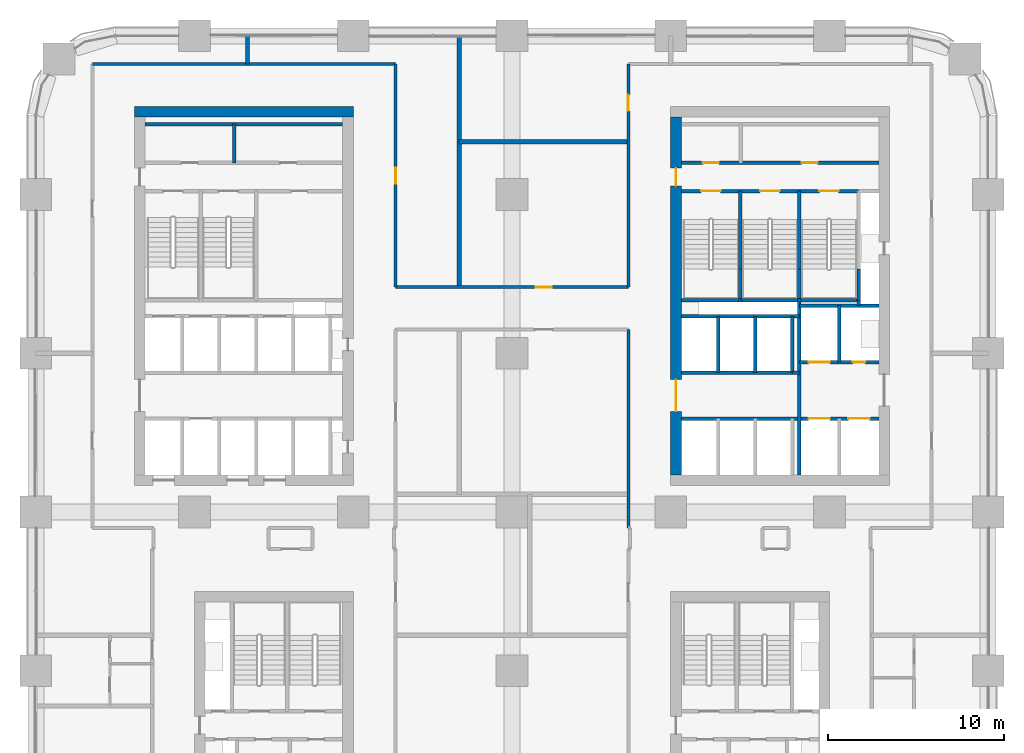
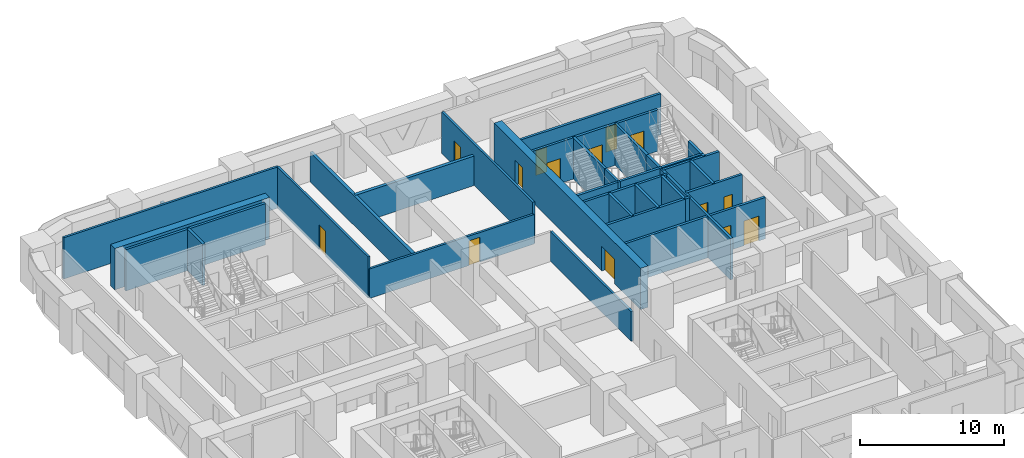
# One storey, part 19 of 24: 36 walls, 14 doors, 14 openings.
"""IFC4 building model written with IfcOpenShell, lengths in metres."""

from ifc_helpers import new_model, si_unit, direction, frame, frame_2d, origin, place, context, subcontext, project, spatial, rectangle, extrude, material, layer, layer_set, type_object, element, fill, save


model = new_model("IFC4")

# Units and contexts
model_context = context("Model", 3, precision=1e-05, world=origin(), true_north=direction((0.0, 1.0)))
body_context = subcontext(model_context, "Body", "Model", "MODEL_VIEW")
ifc_project = project(units=[si_unit("LENGTHUNIT", "METRE"), si_unit("AREAUNIT", "SQUARE_METRE"), si_unit("VOLUMEUNIT", "CUBIC_METRE"), si_unit("PLANEANGLEUNIT", "RADIAN"), si_unit("MASSUNIT", "GRAM", prefix="KILO")], contexts=[model_context])

# Site, building, storey
site_placement = place(None, origin())
site = spatial("IfcSite", under=ifc_project, at=site_placement, CompositionType="ELEMENT")
building_placement = place(site_placement, origin())
building = spatial("IfcBuilding", under=site, at=building_placement, Name="Tessera Arch", CompositionType="ELEMENT")
storey_placement = place(building_placement, frame((0.0, 0.0, 38.60009765625)))
storey = spatial("IfcBuildingStorey", under=building, at=storey_placement, Name="L07", CompositionType="ELEMENT", Elevation=38.60009765625)

# Wall
ifc_material_1 = material(Name="Gypsum board on steel stud", Category="steel")
ifc_layer_1 = layer(ifc_material_1, 0.125)
ifc_layer_set_1 = layer_set([ifc_layer_1], Name="Core partition 125 EI 60")
wall_type_1 = type_object("IfcWallType", Name="Core partition 125 EI 60", PredefinedType="PARTITIONING", material=ifc_layer_set_1)
wall_1_placement = place(storey_placement, frame((42.89990234375, 34.89990234375, 0.0), z_axis=(0.0, 0.0, 1.0), x_axis=(1.0, 0.0, 0.0)))
element("IfcWall", 1, at=wall_1_placement, inside=storey, type_object=wall_type_1, Name="L07 C1 partition wall 19", PredefinedType="PARTITIONING", context=body_context, shape_type="SweptSolid", body=[
    extrude(rectangle(XDim=0.400146484375, YDim=0.199951171875, at=frame_2d((0.2001953125, 0.0))), origin(), (0.0, 0.0, 1.0), 3.5),
])

# Wall, openings, doors
wall_2_placement = place(storey_placement, frame((36.60009765625, 46.800048828125, 0.0), z_axis=(0.0, 0.0, 1.0), x_axis=(1.0, 0.0, 0.0)))
wall_2 = element("IfcWall", 2, at=wall_2_placement, inside=storey, type_object=wall_type_1, Name="L07 C1 partition wall 31", PredefinedType="PARTITIONING", context=body_context, shape_type="SweptSolid", body=[
    extrude(rectangle(XDim=11.199951171875, YDim=0.199951171875, at=frame_2d((5.60009765625, 0.0))), origin(), (0.0, 0.0, 1.0), 3.5),
])
opening_1_placement = place(wall_2_placement, frame((1.22998046875, 0.0, 0.0)))
opening_1 = element("IfcOpeningElement", 3, at=opening_1_placement, cuts=wall_2, Name="Opening L07-C12", PredefinedType="OPENING", context=body_context, shape_type="SweptSolid", body=[
    extrude(rectangle(XDim=0.89990234375, YDim=2.10009765625, at=frame_2d((0.449951171875, 1.050048828125))), frame((0.0, 0.10986328125, 0.0), z_axis=(0.0, -1.0, 0.0), x_axis=(1.0, 0.0, 0.0)), (0.0, 0.0, 1.0), 0.219970703125),
])
opening_2_placement = place(wall_2_placement, frame((6.830078125, 0.0, 0.0)))
opening_2 = element("IfcOpeningElement", 4, at=opening_2_placement, cuts=wall_2, Name="Opening L07-C13", PredefinedType="OPENING", context=body_context, shape_type="SweptSolid", body=[
    extrude(rectangle(XDim=0.89990234375, YDim=2.10009765625, at=frame_2d((0.449951171875, 1.050048828125))), frame((0.0, 0.10986328125, 0.0), z_axis=(0.0, -1.0, 0.0), x_axis=(1.0, 0.0, 0.0)), (0.0, 0.0, 1.0), 0.219970703125),
])
ifc_material_2 = material(Name="Steel door leaf", Category="steel")
door_type_1 = type_object("IfcDoorType", Name="Store door FD30S 900 x 2100", OperationType="SINGLE_SWING_LEFT", PredefinedType="DOOR", material=ifc_material_2)
door_1_placement = place(opening_1_placement, origin())
door_1 = element("IfcDoor", 5, at=door_1_placement, inside=storey, type_object=door_type_1, Name="L07 C1 door 12 C12 type D09", OperationType="SINGLE_SWING_LEFT", OverallHeight=2.10009765625, OverallWidth=0.89990234375, PredefinedType="DOOR", context=body_context, shape_type="SweptSolid", body=[
    extrude(rectangle(XDim=0.89990234375, YDim=2.10009765625, at=frame_2d((0.449951171875, 1.050048828125))), frame((0.0, 0.02490234375, 0.0), z_axis=(0.0, -1.0, 0.0), x_axis=(1.0, 0.0, 0.0)), (0.0, 0.0, 1.0), 0.050048828125),
])
fill(opening_1, door_1)
door_2_placement = place(opening_2_placement, origin())
door_2 = element("IfcDoor", 6, at=door_2_placement, inside=storey, type_object=door_type_1, Name="L07 C1 door 13 C13 type D09", OperationType="SINGLE_SWING_RIGHT", OverallHeight=2.10009765625, OverallWidth=0.89990234375, PredefinedType="DOOR", context=body_context, shape_type="SweptSolid", body=[
    extrude(rectangle(XDim=0.89990234375, YDim=2.10009765625, at=frame_2d((0.449951171875, 1.050048828125))), frame((0.0, 0.02490234375, 0.0), z_axis=(0.0, -1.0, 0.0), x_axis=(1.0, 0.0, 0.0)), (0.0, 0.0, 1.0), 0.050048828125),
])
fill(opening_2, door_2)

# Walls
wall_3_placement = place(storey_placement, frame((11.239990234375, 46.800048828125, 0.0), z_axis=(0.0, 0.0, 1.0), x_axis=(0.0, 1.0, 0.0)))
element("IfcWall", 7, at=wall_3_placement, inside=storey, type_object=wall_type_1, Name="L07 C2 partition wall 7", PredefinedType="PARTITIONING", context=body_context, shape_type="SweptSolid", body=[
    extrude(rectangle(XDim=2.199951171875, YDim=0.199951171875, at=frame_2d((1.10009765625, 0.0))), origin(), (0.0, 0.0, 1.0), 3.5),
])
wall_4_placement = place(storey_placement, frame((6.199951171875, 49.0, 0.0), z_axis=(0.0, 0.0, 1.0), x_axis=(1.0, 0.0, 0.0)))
element("IfcWall", 8, at=wall_4_placement, inside=storey, type_object=wall_type_1, Name="L07 C2 partition wall 26", PredefinedType="PARTITIONING", context=body_context, shape_type="SweptSolid", body=[
    extrude(rectangle(XDim=11.199951171875, YDim=0.199951171875, at=frame_2d((5.60009765625, 0.0))), origin(), (0.0, 0.0, 1.0), 3.5),
])

# Wall, openings, doors
ifc_material_3 = material(Name="Concrete C70/85", Category="concrete")
ifc_layer_2 = layer(ifc_material_3, 0.60009765625)
ifc_layer_set_2 = layer_set([ifc_layer_2], Name="Core shell wall 600 C70-85")
wall_type_2 = type_object("IfcWallType", Name="Core shell wall 600 C70-85", PredefinedType="SHEAR", material=ifc_layer_set_2)
wall_5_placement = place(storey_placement, frame((36.300048828125, 29.10009765625, 0.0), z_axis=(0.0, 0.0, 1.0), x_axis=(0.0, 1.0, 0.0)))
wall_5 = element("IfcWall", 9, at=wall_5_placement, inside=storey, type_object=wall_type_2, Name="L07 C1 core wall W", PredefinedType="SHEAR", context=body_context, shape_type="SweptSolid", body=[
    extrude(rectangle(XDim=20.2998046875, YDim=0.60009765625, at=frame_2d((10.14990234375, 0.0))), origin(), (0.0, 0.0, 1.0), 3.5),
])
opening_3_placement = place(wall_5_placement, frame((3.60009765625, 0.0, 0.0)))
opening_3 = element("IfcOpeningElement", 10, at=opening_3_placement, cuts=wall_5, Name="Opening L07-C04", PredefinedType="OPENING", context=body_context, shape_type="SweptSolid", body=[
    extrude(rectangle(XDim=1.800048828125, YDim=2.10009765625, at=frame_2d((0.89990234375, 1.050048828125))), frame((0.0, 0.31005859375, 0.0), z_axis=(0.0, -1.0, 0.0), x_axis=(1.0, 0.0, 0.0)), (0.0, 0.0, 1.0), 0.6201171875),
])
opening_4_placement = place(wall_5_placement, frame((16.39990234375, 0.0, 0.0)))
opening_4 = element("IfcOpeningElement", 11, at=opening_4_placement, cuts=wall_5, Name="Opening L07-C11", PredefinedType="OPENING", context=body_context, shape_type="SweptSolid", body=[
    extrude(rectangle(XDim=1.0, YDim=2.10009765625, at=frame_2d((0.5, 1.050048828125))), frame((0.0, 0.31005859375, 0.0), z_axis=(0.0, -1.0, 0.0), x_axis=(1.0, 0.0, 0.0)), (0.0, 0.0, 1.0), 0.6201171875),
])
ifc_material_4 = material(Name="Steel door leaf", Category="steel")
door_type_2 = type_object("IfcDoorType", Name="Corridor door FD60 1000 x 2100", OperationType="SINGLE_SWING_LEFT", PredefinedType="DOOR", material=ifc_material_4)
door_3_placement = place(opening_4_placement, origin())
door_3 = element("IfcDoor", 12, at=door_3_placement, inside=storey, type_object=door_type_2, Name="L07 C1 door 11 C11 type D12", OperationType="SINGLE_SWING_RIGHT", OverallHeight=2.10009765625, OverallWidth=1.0, PredefinedType="DOOR", context=body_context, shape_type="SweptSolid", body=[
    extrude(rectangle(XDim=1.0, YDim=2.10009765625, at=frame_2d((0.5, 1.050048828125))), frame((0.0, 0.02490234375, 0.0), z_axis=(0.0, -1.0, 0.0), x_axis=(1.0, 0.0, 0.0)), (0.0, 0.0, 1.0), 0.050048828125),
])
fill(opening_4, door_3)
ifc_material_5 = material(Name="Glazed steel door leaf", Category="steel")
door_type_3 = type_object("IfcDoorType", Name="Lobby double door FD30S 1800 x 2100", OperationType="DOUBLE_DOOR_SINGLE_SWING", PredefinedType="DOOR", material=ifc_material_5)
door_4_placement = place(opening_3_placement, origin())
door_4 = element("IfcDoor", 13, at=door_4_placement, inside=storey, type_object=door_type_3, Name="L07 C1 door 4 C04 type D06", OperationType="DOUBLE_DOOR_SINGLE_SWING", OverallHeight=2.10009765625, OverallWidth=1.800048828125, PredefinedType="DOOR", context=body_context, shape_type="SweptSolid", body=[
    extrude(rectangle(XDim=1.800048828125, YDim=2.10009765625, at=frame_2d((0.89990234375, 1.050048828125))), frame((0.0, 0.02490234375, 0.0), z_axis=(0.0, -1.0, 0.0), x_axis=(1.0, 0.0, 0.0)), (0.0, 0.0, 1.0), 0.050048828125),
])
fill(opening_3, door_4)

# Wall
wall_6_placement = place(storey_placement, frame((5.60009765625, 49.699951171875, 0.0), z_axis=(0.0, 0.0, 1.0), x_axis=(1.0, 0.0, 0.0)))
element("IfcWall", 14, at=wall_6_placement, inside=storey, type_object=wall_type_2, Name="L07 C2 core wall N", PredefinedType="SHEAR", context=body_context, shape_type="SweptSolid", body=[
    extrude(rectangle(XDim=12.39990234375, YDim=0.60009765625, at=frame_2d((6.199951171875, 0.0))), origin(), (0.0, 0.0, 1.0), 3.5),
])

# Wall, opening, door
ifc_material_6 = material(Name="Gypsum board on deep steel stud with mineral wool", Category="steel")
ifc_layer_3 = layer(ifc_material_6, 0.175048828125)
ifc_layer_set_3 = layer_set([ifc_layer_3], Name="Corridor wall 175 EI 60")
wall_type_3 = type_object("IfcWallType", Name="Corridor wall 175 EI 60", PredefinedType="PARTITIONING", material=ifc_layer_set_3)
wall_7_placement = place(storey_placement, frame((20.39990234375, 39.75, 0.0), z_axis=(0.0, 0.0, 1.0), x_axis=(1.0, 0.0, 0.0)))
wall_7 = element("IfcWall", 15, at=wall_7_placement, inside=storey, type_object=wall_type_3, Name="L07 partition 18", PredefinedType="PARTITIONING", context=body_context, shape_type="SweptSolid", body=[
    extrude(rectangle(XDim=13.2001953125, YDim=0.175048828125, at=frame_2d((6.60009765625, 0.0))), origin(), (0.0, 0.0, 1.0), 2.5),
])
opening_5_placement = place(wall_7_placement, frame((7.949951171875, 0.0, 0.0)))
opening_5 = element("IfcOpeningElement", 16, at=opening_5_placement, cuts=wall_7, Name="Opening L07-D037", PredefinedType="OPENING", context=body_context, shape_type="SweptSolid", body=[
    extrude(rectangle(XDim=0.89990234375, YDim=2.10009765625, at=frame_2d((0.449951171875, 1.050048828125))), frame((0.0, 0.097412109375, 0.0), z_axis=(0.0, -1.0, 0.0), x_axis=(1.0, 0.0, 0.0)), (0.0, 0.0, 1.0), 0.195068359375),
])
ifc_material_7 = material(Name="Timber door leaf", Category="wood")
door_type_4 = type_object("IfcDoorType", Name="Room door 900 x 2100", OperationType="SINGLE_SWING_LEFT", PredefinedType="DOOR", material=ifc_material_7)
door_5_placement = place(opening_5_placement, origin())
door_5 = element("IfcDoor", 17, at=door_5_placement, inside=storey, type_object=door_type_4, Name="L07 door D037 type D01", OperationType="SINGLE_SWING_LEFT", OverallHeight=2.10009765625, OverallWidth=0.89990234375, PredefinedType="DOOR", context=body_context, shape_type="SweptSolid", body=[
    extrude(rectangle(XDim=0.89990234375, YDim=2.10009765625, at=frame_2d((0.449951171875, 1.050048828125))), frame((0.0, 0.02490234375, 0.0), z_axis=(0.0, -1.0, 0.0), x_axis=(1.0, 0.0, 0.0)), (0.0, 0.0, 1.0), 0.050048828125),
])
fill(opening_5, door_5)

# Wall
wall_8_placement = place(storey_placement, frame((3.199951171875, 52.39990234375, 0.0), z_axis=(0.0, 0.0, 1.0), x_axis=(1.0, 0.0, 0.0)))
element("IfcWall", 18, at=wall_8_placement, inside=storey, type_object=wall_type_3, Name="L07 partition 19", PredefinedType="PARTITIONING", context=body_context, shape_type="SweptSolid", body=[
    extrude(rectangle(XDim=17.199951171875, YDim=0.175048828125, at=frame_2d((8.60009765625, 0.0))), origin(), (0.0, 0.0, 1.0), 3.5),
])

# Wall, opening, door
wall_9_placement = place(storey_placement, frame((20.39990234375, 39.75, 0.0), z_axis=(0.0, 0.0, 1.0), x_axis=(0.0, 1.0, 0.0)))
wall_9 = element("IfcWall", 19, at=wall_9_placement, inside=storey, type_object=wall_type_3, Name="L07 partition 30", PredefinedType="PARTITIONING", context=body_context, shape_type="SweptSolid", body=[
    extrude(rectangle(XDim=12.64990234375, YDim=0.175048828125, at=frame_2d((6.324951171875, 0.0))), origin(), (0.0, 0.0, 1.0), 3.5),
])
opening_6_placement = place(wall_9_placement, frame((5.875, 0.0, 0.0)))
opening_6 = element("IfcOpeningElement", 20, at=opening_6_placement, cuts=wall_9, Name="Opening L07-D040", PredefinedType="OPENING", context=body_context, shape_type="SweptSolid", body=[
    extrude(rectangle(XDim=0.89990234375, YDim=2.10009765625, at=frame_2d((0.449951171875, 1.050048828125))), frame((0.0, 0.097412109375, 0.0), z_axis=(0.0, -1.0, 0.0), x_axis=(1.0, 0.0, 0.0)), (0.0, 0.0, 1.0), 0.195068359375),
])
door_6_placement = place(opening_6_placement, origin())
door_6 = element("IfcDoor", 21, at=door_6_placement, inside=storey, type_object=door_type_4, Name="L07 door D040 type D01", OperationType="SINGLE_SWING_LEFT", OverallHeight=2.10009765625, OverallWidth=0.89990234375, PredefinedType="DOOR", context=body_context, shape_type="SweptSolid", body=[
    extrude(rectangle(XDim=0.89990234375, YDim=2.10009765625, at=frame_2d((0.449951171875, 1.050048828125))), frame((0.0, 0.02490234375, 0.0), z_axis=(0.0, -1.0, 0.0), x_axis=(1.0, 0.0, 0.0)), (0.0, 0.0, 1.0), 0.050048828125),
])
fill(opening_6, door_6)

# Wall
wall_10_placement = place(storey_placement, frame((33.60009765625, 26.10009765625, 0.0), z_axis=(0.0, 0.0, 1.0), x_axis=(0.0, 1.0, 0.0)))
element("IfcWall", 22, at=wall_10_placement, inside=storey, type_object=wall_type_3, Name="L07 partition 33", PredefinedType="PARTITIONING", context=body_context, shape_type="SweptSolid", body=[
    extrude(rectangle(XDim=11.25, YDim=0.175048828125, at=frame_2d((5.625, 0.0))), origin(), (0.0, 0.0, 1.0), 2.5),
])

# Wall, opening, door
wall_11_placement = place(storey_placement, frame((33.60009765625, 39.75, 0.0), z_axis=(0.0, 0.0, 1.0), x_axis=(0.0, 1.0, 0.0)))
wall_11 = element("IfcWall", 23, at=wall_11_placement, inside=storey, type_object=wall_type_3, Name="L07 partition 34", PredefinedType="PARTITIONING", context=body_context, shape_type="SweptSolid", body=[
    extrude(rectangle(XDim=12.64990234375, YDim=0.175048828125, at=frame_2d((6.324951171875, 0.0))), origin(), (0.0, 0.0, 1.0), 3.5),
])
opening_7_placement = place(wall_11_placement, frame((10.0, 0.0, 0.0)))
opening_7 = element("IfcOpeningElement", 24, at=opening_7_placement, cuts=wall_11, Name="Opening L07-D041", PredefinedType="OPENING", context=body_context, shape_type="SweptSolid", body=[
    extrude(rectangle(XDim=0.89990234375, YDim=2.10009765625, at=frame_2d((0.449951171875, 1.050048828125))), frame((0.0, 0.097412109375, 0.0), z_axis=(0.0, -1.0, 0.0), x_axis=(1.0, 0.0, 0.0)), (0.0, 0.0, 1.0), 0.195068359375),
])
door_7_placement = place(opening_7_placement, origin())
door_7 = element("IfcDoor", 25, at=door_7_placement, inside=storey, type_object=door_type_4, Name="L07 door D041 type D01", OperationType="SINGLE_SWING_LEFT", OverallHeight=2.10009765625, OverallWidth=0.89990234375, PredefinedType="DOOR", context=body_context, shape_type="SweptSolid", body=[
    extrude(rectangle(XDim=0.89990234375, YDim=2.10009765625, at=frame_2d((0.449951171875, 1.050048828125))), frame((0.0, 0.02490234375, 0.0), z_axis=(0.0, -1.0, 0.0), x_axis=(1.0, 0.0, 0.0)), (0.0, 0.0, 1.0), 0.050048828125),
])
fill(opening_7, door_7)

# Walls
ifc_material_8 = material(Name="Double gypsum board on twin steel stud with acoustic mineral wool", Category="steel")
ifc_layer_4 = layer(ifc_material_8, 0.25)
ifc_layer_set_4 = layer_set([ifc_layer_4], Name="Party wall 250 EI 60")
wall_type_4 = type_object("IfcWallType", Name="Party wall 250 EI 60", PredefinedType="PARTITIONING", material=ifc_layer_set_4)
wall_12_placement = place(storey_placement, frame((24.0, 48.0, 0.0), z_axis=(0.0, 0.0, 1.0), x_axis=(1.0, 0.0, 0.0)))
element("IfcWall", 26, at=wall_12_placement, inside=storey, type_object=wall_type_4, Name="L07 partition 59", PredefinedType="PARTITIONING", context=body_context, shape_type="SweptSolid", body=[
    extrude(rectangle(XDim=9.60009765625, YDim=0.25, at=frame_2d((4.800048828125, 0.0))), origin(), (0.0, 0.0, 1.0), 2.5),
])
wall_13_placement = place(storey_placement, frame((12.0, 52.39990234375, 0.0), z_axis=(0.0, 0.0, 1.0), x_axis=(0.0, 1.0, 0.0)))
element("IfcWall", 27, at=wall_13_placement, inside=storey, type_object=wall_type_4, Name="L07 partition 62", PredefinedType="PARTITIONING", context=body_context, shape_type="SweptSolid", body=[
    extrude(rectangle(XDim=1.60009765625, YDim=0.25, at=frame_2d((0.800048828125, 0.0))), origin(), (0.0, 0.0, 1.0), 2.5),
])
wall_14_placement = place(storey_placement, frame((24.0, 39.75, 0.0), z_axis=(0.0, 0.0, 1.0), x_axis=(0.0, 1.0, 0.0)))
element("IfcWall", 28, at=wall_14_placement, inside=storey, type_object=wall_type_4, Name="L07 partition 66", PredefinedType="PARTITIONING", context=body_context, shape_type="SweptSolid", body=[
    extrude(rectangle(XDim=14.25, YDim=0.25, at=frame_2d((7.125, 0.0))), origin(), (0.0, 0.0, 1.0), 2.5),
])
ifc_material_9 = material(Name="Concrete C40/50", Category="concrete")
ifc_layer_5 = layer(ifc_material_9, 0.199951171875)
ifc_layer_set_5 = layer_set([ifc_layer_5], Name="Shaft wall 200 EI 120")
wall_type_5 = type_object("IfcWallType", Name="Shaft wall 200 EI 120", PredefinedType="SOLIDWALL", material=ifc_layer_set_5)
for number, where, z_axis, x_axis, name in (
    (29, (38.699951171875, 34.89990234375, 0.0), (0.0, 0.0, 1.0), (0.0, 1.0, 0.0), "L07 C1 shaft wall 2"),
    (30, (40.800048828125, 34.89990234375, 0.0), (0.0, 0.0, 1.0), (0.0, 1.0, 0.0), "L07 C1 shaft wall 7"),
    (31, (42.89990234375, 34.89990234375, 0.0), (0.0, 0.0, 1.0), (0.0, 1.0, 0.0), "L07 C1 shaft wall 9"),
):
    element("IfcWall", number, at=place(storey_placement, frame(where, z_axis=z_axis, x_axis=x_axis)), inside=storey, type_object=wall_type_5, Name=name, PredefinedType="SOLIDWALL", context=body_context, shape_type="SweptSolid", body=[
        extrude(rectangle(XDim=3.2001953125, YDim=0.199951171875, at=frame_2d((1.60009765625, 0.0))), origin(), (0.0, 0.0, 1.0), 3.5),
    ])
wall_15_placement = place(storey_placement, frame((43.300048828125, 29.10009765625, 0.0), z_axis=(0.0, 0.0, 1.0), x_axis=(0.0, 1.0, 0.0)))
element("IfcWall", 32, at=wall_15_placement, inside=storey, type_object=wall_type_5, Name="L07 C1 shaft wall 10", PredefinedType="SOLIDWALL", context=body_context, shape_type="SweptSolid", body=[
    extrude(rectangle(XDim=9.89990234375, YDim=0.199951171875, at=frame_2d((4.949951171875, 0.0))), origin(), (0.0, 0.0, 1.0), 3.5),
])
wall_16_placement = place(storey_placement, frame((45.550048828125, 35.5, 0.0), z_axis=(0.0, 0.0, 1.0), x_axis=(0.0, 1.0, 0.0)))
element("IfcWall", 33, at=wall_16_placement, inside=storey, type_object=wall_type_5, Name="L07 C1 shaft wall 14", PredefinedType="SOLIDWALL", context=body_context, shape_type="SweptSolid", body=[
    extrude(rectangle(XDim=3.199951171875, YDim=0.199951171875, at=frame_2d((1.60009765625, 0.0))), origin(), (0.0, 0.0, 1.0), 3.5),
])
wall_17_placement = place(storey_placement, frame((46.64990234375, 38.699951171875, 0.0), z_axis=(0.0, 0.0, 1.0), x_axis=(0.0, 1.0, 0.0)))
element("IfcWall", 34, at=wall_17_placement, inside=storey, type_object=wall_type_5, Name="L07 C1 shaft wall 15", PredefinedType="SOLIDWALL", context=body_context, shape_type="SweptSolid", body=[
    extrude(rectangle(XDim=0.300048828125, YDim=0.199951171875, at=frame_2d((0.14990234375, 0.0))), origin(), (0.0, 0.0, 1.0), 3.5),
])

# Wall, openings, doors
wall_18_placement = place(storey_placement, frame((36.60009765625, 32.300048828125, 0.0), z_axis=(0.0, 0.0, 1.0), x_axis=(1.0, 0.0, 0.0)))
wall_18 = element("IfcWall", 35, at=wall_18_placement, inside=storey, type_object=wall_type_5, Name="L07 C1 shaft wall 18", PredefinedType="SOLIDWALL", context=body_context, shape_type="SweptSolid", body=[
    extrude(rectangle(XDim=11.199951171875, YDim=0.199951171875, at=frame_2d((5.60009765625, 0.0))), origin(), (0.0, 0.0, 1.0), 3.5),
])
opening_8_placement = place(wall_18_placement, frame((7.22509765625, 0.0, 0.0)))
opening_8 = element("IfcOpeningElement", 36, at=opening_8_placement, cuts=wall_18, Name="Opening L07-C01", PredefinedType="OPENING", context=body_context, shape_type="SweptSolid", body=[
    extrude(rectangle(XDim=1.199951171875, YDim=2.10009765625, at=frame_2d((0.60009765625, 1.050048828125))), frame((0.0, 0.10986328125, 0.0), z_axis=(0.0, -1.0, 0.0), x_axis=(1.0, 0.0, 0.0)), (0.0, 0.0, 1.0), 0.219970703125),
])
opening_9_placement = place(wall_18_placement, frame((9.47509765625, 0.0, 0.0)))
opening_9 = element("IfcOpeningElement", 37, at=opening_9_placement, cuts=wall_18, Name="Opening L07-C02", PredefinedType="OPENING", context=body_context, shape_type="SweptSolid", body=[
    extrude(rectangle(XDim=1.199951171875, YDim=2.10009765625, at=frame_2d((0.60009765625, 1.050048828125))), frame((0.0, 0.10986328125, 0.0), z_axis=(0.0, -1.0, 0.0), x_axis=(1.0, 0.0, 0.0)), (0.0, 0.0, 1.0), 0.219970703125),
])
ifc_material_10 = material(Name="Stainless steel AISI 304", Category="steel")
door_type_5 = type_object("IfcDoorType", Name="Sliding landing door 1200 x 2100", OperationType="SLIDING_TO_LEFT", PredefinedType="DOOR", material=ifc_material_10)
door_8_placement = place(opening_8_placement, origin())
door_8 = element("IfcDoor", 38, at=door_8_placement, inside=storey, type_object=door_type_5, Name="L07 FF1 lift landing door C01 type LD", OperationType="SLIDING_TO_LEFT", OverallHeight=2.10009765625, OverallWidth=1.199951171875, PredefinedType="DOOR", context=body_context, shape_type="SweptSolid", body=[
    extrude(rectangle(XDim=1.199951171875, YDim=2.10009765625, at=frame_2d((0.60009765625, 1.050048828125))), frame((0.0, 0.02490234375, 0.0), z_axis=(0.0, -1.0, 0.0), x_axis=(1.0, 0.0, 0.0)), (0.0, 0.0, 1.0), 0.050048828125),
])
fill(opening_8, door_8)
door_9_placement = place(opening_9_placement, origin())
door_9 = element("IfcDoor", 39, at=door_9_placement, inside=storey, type_object=door_type_5, Name="L07 FF2 lift landing door C02 type LD", OperationType="SLIDING_TO_LEFT", OverallHeight=2.10009765625, OverallWidth=1.199951171875, PredefinedType="DOOR", context=body_context, shape_type="SweptSolid", body=[
    extrude(rectangle(XDim=1.199951171875, YDim=2.10009765625, at=frame_2d((0.60009765625, 1.050048828125))), frame((0.0, 0.02490234375, 0.0), z_axis=(0.0, -1.0, 0.0), x_axis=(1.0, 0.0, 0.0)), (0.0, 0.0, 1.0), 0.050048828125),
])
fill(opening_9, door_9)

# Wall
wall_19_placement = place(storey_placement, frame((36.60009765625, 34.89990234375, 0.0), z_axis=(0.0, 0.0, 1.0), x_axis=(1.0, 0.0, 0.0)))
element("IfcWall", 40, at=wall_19_placement, inside=storey, type_object=wall_type_5, Name="L07 C1 shaft wall 20", PredefinedType="SOLIDWALL", context=body_context, shape_type="SweptSolid", body=[
    extrude(rectangle(XDim=6.2998046875, YDim=0.199951171875, at=frame_2d((3.14990234375, 0.0))), origin(), (0.0, 0.0, 1.0), 3.5),
])

# Wall, openings, doors
wall_20_placement = place(storey_placement, frame((43.300048828125, 35.5, 0.0), z_axis=(0.0, 0.0, 1.0), x_axis=(1.0, 0.0, 0.0)))
wall_20 = element("IfcWall", 41, at=wall_20_placement, inside=storey, type_object=wall_type_5, Name="L07 C1 shaft wall 21", PredefinedType="SOLIDWALL", context=body_context, shape_type="SweptSolid", body=[
    extrude(rectangle(XDim=4.5, YDim=0.199951171875, at=frame_2d((2.25, 0.0))), origin(), (0.0, 0.0, 1.0), 3.5),
])
opening_10_placement = place(wall_20_placement, frame((0.52490234375, 0.0, 0.0)))
opening_10 = element("IfcOpeningElement", 42, at=opening_10_placement, cuts=wall_20, Name="Opening L07-C03", PredefinedType="OPENING", context=body_context, shape_type="SweptSolid", body=[
    extrude(rectangle(XDim=1.199951171875, YDim=2.10009765625, at=frame_2d((0.60009765625, 1.050048828125))), frame((0.0, 0.10986328125, 0.0), z_axis=(0.0, -1.0, 0.0), x_axis=(1.0, 0.0, 0.0)), (0.0, 0.0, 1.0), 0.219970703125),
])
opening_11_placement = place(wall_20_placement, frame((3.02490234375, 0.0, 0.0)))
opening_11 = element("IfcOpeningElement", 43, at=opening_11_placement, cuts=wall_20, Name="Opening L07-C10", PredefinedType="OPENING", context=body_context, shape_type="SweptSolid", body=[
    extrude(rectangle(XDim=0.699951171875, YDim=2.10009765625, at=frame_2d((0.35009765625, 1.050048828125))), frame((0.0, 0.10986328125, 0.0), z_axis=(0.0, -1.0, 0.0), x_axis=(1.0, 0.0, 0.0)), (0.0, 0.0, 1.0), 0.219970703125),
])
ifc_material_11 = material(Name="Steel door leaf", Category="steel")
door_type_6 = type_object("IfcDoorType", Name="Service shaft door FD60 700 x 2100", OperationType="SINGLE_SWING_LEFT", PredefinedType="DOOR", material=ifc_material_11)
door_10_placement = place(opening_11_placement, origin())
door_10 = element("IfcDoor", 44, at=door_10_placement, inside=storey, type_object=door_type_6, Name="L07 C1 door 10 C10 type D07", OperationType="SINGLE_SWING_RIGHT", OverallHeight=2.10009765625, OverallWidth=0.699951171875, PredefinedType="DOOR", context=body_context, shape_type="SweptSolid", body=[
    extrude(rectangle(XDim=0.699951171875, YDim=2.10009765625, at=frame_2d((0.35009765625, 1.050048828125))), frame((0.0, 0.02490234375, 0.0), z_axis=(0.0, -1.0, 0.0), x_axis=(1.0, 0.0, 0.0)), (0.0, 0.0, 1.0), 0.050048828125),
])
fill(opening_11, door_10)
door_11_placement = place(opening_10_placement, origin())
door_11 = element("IfcDoor", 45, at=door_11_placement, inside=storey, type_object=door_type_5, Name="L07 SV2 lift landing door C03 type LD", OperationType="SLIDING_TO_LEFT", OverallHeight=2.10009765625, OverallWidth=1.199951171875, PredefinedType="DOOR", context=body_context, shape_type="SweptSolid", body=[
    extrude(rectangle(XDim=1.199951171875, YDim=2.10009765625, at=frame_2d((0.60009765625, 1.050048828125))), frame((0.0, 0.02490234375, 0.0), z_axis=(0.0, -1.0, 0.0), x_axis=(1.0, 0.0, 0.0)), (0.0, 0.0, 1.0), 0.050048828125),
])
fill(opening_10, door_11)

# Walls
wall_21_placement = place(storey_placement, frame((36.60009765625, 38.10009765625, 0.0), z_axis=(0.0, 0.0, 1.0), x_axis=(1.0, 0.0, 0.0)))
element("IfcWall", 46, at=wall_21_placement, inside=storey, type_object=wall_type_5, Name="L07 C1 shaft wall 22", PredefinedType="SOLIDWALL", context=body_context, shape_type="SweptSolid", body=[
    extrude(rectangle(XDim=6.699951171875, YDim=0.199951171875, at=frame_2d((3.35009765625, 0.0))), origin(), (0.0, 0.0, 1.0), 3.5),
])
wall_22_placement = place(storey_placement, frame((43.300048828125, 38.699951171875, 0.0), z_axis=(0.0, 0.0, 1.0), x_axis=(1.0, 0.0, 0.0)))
element("IfcWall", 47, at=wall_22_placement, inside=storey, type_object=wall_type_5, Name="L07 C1 shaft wall 23", PredefinedType="SOLIDWALL", context=body_context, shape_type="SweptSolid", body=[
    extrude(rectangle(XDim=4.5, YDim=0.199951171875, at=frame_2d((2.25, 0.0))), origin(), (0.0, 0.0, 1.0), 3.5),
])
ifc_material_12 = material(Name="Concrete C40/50", Category="concrete")
ifc_layer_6 = layer(ifc_material_12, 0.199951171875)
ifc_layer_set_6 = layer_set([ifc_layer_6], Name="Stair well wall 200 REI 180")
wall_type_6 = type_object("IfcWallType", Name="Stair well wall 200 REI 180", PredefinedType="SOLIDWALL", material=ifc_layer_set_6)
wall_23_placement = place(storey_placement, frame((39.949951171875, 39.0, 0.0), z_axis=(0.0, 0.0, 1.0), x_axis=(0.0, 1.0, 0.0)))
element("IfcWall", 48, at=wall_23_placement, inside=storey, type_object=wall_type_6, Name="L07 C1 shaft wall 3", PredefinedType="SOLIDWALL", context=body_context, shape_type="SweptSolid", body=[
    extrude(rectangle(XDim=1.780029296875, YDim=0.199951171875, at=frame_2d((0.89013671875, 0.0))), origin(), (0.0, 0.0, 1.0), 3.5),
])
wall_24_placement = place(storey_placement, frame((39.949951171875, 40.780029296875, 0.0), z_axis=(0.0, 0.0, 1.0), x_axis=(0.0, 1.0, 0.0)))
element("IfcWall", 49, at=wall_24_placement, inside=storey, type_object=wall_type_6, Name="L07 C1 shaft wall 4", PredefinedType="SOLIDWALL", context=body_context, shape_type="SweptSolid", body=[
    extrude(rectangle(XDim=4.419921875, YDim=0.199951171875, at=frame_2d((2.2099609375, 0.0))), origin(), (0.0, 0.0, 1.0), 3.5),
])
wall_25_placement = place(storey_placement, frame((43.300048828125, 39.0, 0.0), z_axis=(0.0, 0.0, 1.0), x_axis=(0.0, 1.0, 0.0)))
element("IfcWall", 50, at=wall_25_placement, inside=storey, type_object=wall_type_6, Name="L07 C1 shaft wall 11", PredefinedType="SOLIDWALL", context=body_context, shape_type="SweptSolid", body=[
    extrude(rectangle(XDim=1.780029296875, YDim=0.199951171875, at=frame_2d((0.89013671875, 0.0))), origin(), (0.0, 0.0, 1.0), 3.5),
])
wall_26_placement = place(storey_placement, frame((43.300048828125, 40.780029296875, 0.0), z_axis=(0.0, 0.0, 1.0), x_axis=(0.0, 1.0, 0.0)))
element("IfcWall", 51, at=wall_26_placement, inside=storey, type_object=wall_type_6, Name="L07 C1 shaft wall 12", PredefinedType="SOLIDWALL", context=body_context, shape_type="SweptSolid", body=[
    extrude(rectangle(XDim=4.419921875, YDim=0.199951171875, at=frame_2d((2.2099609375, 0.0))), origin(), (0.0, 0.0, 1.0), 3.5),
])
wall_27_placement = place(storey_placement, frame((46.64990234375, 39.0, 0.0), z_axis=(0.0, 0.0, 1.0), x_axis=(0.0, 1.0, 0.0)))
element("IfcWall", 52, at=wall_27_placement, inside=storey, type_object=wall_type_6, Name="L07 C1 shaft wall 16", PredefinedType="SOLIDWALL", context=body_context, shape_type="SweptSolid", body=[
    extrude(rectangle(XDim=1.780029296875, YDim=0.199951171875, at=frame_2d((0.89013671875, 0.0))), origin(), (0.0, 0.0, 1.0), 3.5),
])
wall_28_placement = place(storey_placement, frame((36.60009765625, 39.0, 0.0), z_axis=(0.0, 0.0, 1.0), x_axis=(1.0, 0.0, 0.0)))
element("IfcWall", 53, at=wall_28_placement, inside=storey, type_object=wall_type_6, Name="L07 C1 shaft wall 24", PredefinedType="SOLIDWALL", context=body_context, shape_type="SweptSolid", body=[
    extrude(rectangle(XDim=3.25, YDim=0.199951171875, at=frame_2d((1.625, 0.0))), origin(), (0.0, 0.0, 1.0), 3.5),
])
wall_29_placement = place(storey_placement, frame((39.85009765625, 39.0, 0.0), z_axis=(0.0, 0.0, 1.0), x_axis=(1.0, 0.0, 0.0)))
element("IfcWall", 54, at=wall_29_placement, inside=storey, type_object=wall_type_6, Name="L07 C1 shaft wall 25", PredefinedType="SOLIDWALL", context=body_context, shape_type="SweptSolid", body=[
    extrude(rectangle(XDim=0.199951171875, YDim=0.199951171875, at=frame_2d((0.10009765625, 0.0))), origin(), (0.0, 0.0, 1.0), 3.5),
])
wall_30_placement = place(storey_placement, frame((40.050048828125, 39.0, 0.0), z_axis=(0.0, 0.0, 1.0), x_axis=(1.0, 0.0, 0.0)))
element("IfcWall", 55, at=wall_30_placement, inside=storey, type_object=wall_type_6, Name="L07 C1 shaft wall 26", PredefinedType="SOLIDWALL", context=body_context, shape_type="SweptSolid", body=[
    extrude(rectangle(XDim=3.14990234375, YDim=0.199951171875, at=frame_2d((1.574951171875, 0.0))), origin(), (0.0, 0.0, 1.0), 3.5),
])
wall_31_placement = place(storey_placement, frame((43.199951171875, 39.0, 0.0), z_axis=(0.0, 0.0, 1.0), x_axis=(1.0, 0.0, 0.0)))
element("IfcWall", 56, at=wall_31_placement, inside=storey, type_object=wall_type_6, Name="L07 C1 shaft wall 27", PredefinedType="SOLIDWALL", context=body_context, shape_type="SweptSolid", body=[
    extrude(rectangle(XDim=0.199951171875, YDim=0.199951171875, at=frame_2d((0.10009765625, 0.0))), origin(), (0.0, 0.0, 1.0), 3.5),
])
wall_32_placement = place(storey_placement, frame((43.39990234375, 39.0, 0.0), z_axis=(0.0, 0.0, 1.0), x_axis=(1.0, 0.0, 0.0)))
element("IfcWall", 57, at=wall_32_placement, inside=storey, type_object=wall_type_6, Name="L07 C1 shaft wall 28", PredefinedType="SOLIDWALL", context=body_context, shape_type="SweptSolid", body=[
    extrude(rectangle(XDim=3.25, YDim=0.199951171875, at=frame_2d((1.625, 0.0))), origin(), (0.0, 0.0, 1.0), 3.5),
])

# Wall, openings, doors
wall_33_placement = place(storey_placement, frame((36.60009765625, 45.199951171875, 0.0), z_axis=(0.0, 0.0, 1.0), x_axis=(1.0, 0.0, 0.0)))
wall_33 = element("IfcWall", 58, at=wall_33_placement, inside=storey, type_object=wall_type_6, Name="L07 C1 shaft wall 30", PredefinedType="SOLIDWALL", context=body_context, shape_type="SweptSolid", body=[
    extrude(rectangle(XDim=10.0498046875, YDim=0.199951171875, at=frame_2d((5.02490234375, 0.0))), origin(), (0.0, 0.0, 1.0), 3.5),
])
opening_12_placement = place(wall_33_placement, frame((1.125, 0.0, 0.0)))
opening_12 = element("IfcOpeningElement", 59, at=opening_12_placement, cuts=wall_33, Name="Opening L07-C05", PredefinedType="OPENING", context=body_context, shape_type="SweptSolid", body=[
    extrude(rectangle(XDim=1.10009765625, YDim=2.10009765625, at=frame_2d((0.550048828125, 1.050048828125))), frame((0.0, 0.10986328125, 0.0), z_axis=(0.0, -1.0, 0.0), x_axis=(1.0, 0.0, 0.0)), (0.0, 0.0, 1.0), 0.219970703125),
])
opening_13_placement = place(wall_33_placement, frame((4.47509765625, 0.0, 0.0)))
opening_13 = element("IfcOpeningElement", 60, at=opening_13_placement, cuts=wall_33, Name="Opening L07-C06", PredefinedType="OPENING", context=body_context, shape_type="SweptSolid", body=[
    extrude(rectangle(XDim=1.10009765625, YDim=2.10009765625, at=frame_2d((0.550048828125, 1.050048828125))), frame((0.0, 0.10986328125, 0.0), z_axis=(0.0, -1.0, 0.0), x_axis=(1.0, 0.0, 0.0)), (0.0, 0.0, 1.0), 0.219970703125),
])
opening_14_placement = place(wall_33_placement, frame((7.824951171875, 0.0, 0.0)))
opening_14 = element("IfcOpeningElement", 61, at=opening_14_placement, cuts=wall_33, Name="Opening L07-C07", PredefinedType="OPENING", context=body_context, shape_type="SweptSolid", body=[
    extrude(rectangle(XDim=1.10009765625, YDim=2.10009765625, at=frame_2d((0.550048828125, 1.050048828125))), frame((0.0, 0.10986328125, 0.0), z_axis=(0.0, -1.0, 0.0), x_axis=(1.0, 0.0, 0.0)), (0.0, 0.0, 1.0), 0.219970703125),
])
ifc_material_13 = material(Name="Steel door leaf", Category="steel")
door_type_7 = type_object("IfcDoorType", Name="Stair door FD60 1100 x 2100", OperationType="SINGLE_SWING_LEFT", PredefinedType="DOOR", material=ifc_material_13)
door_12_placement = place(opening_12_placement, origin())
door_12 = element("IfcDoor", 62, at=door_12_placement, inside=storey, type_object=door_type_7, Name="L07 C1 door 5 C05 type D05", OperationType="SINGLE_SWING_LEFT", OverallHeight=2.10009765625, OverallWidth=1.10009765625, PredefinedType="DOOR", context=body_context, shape_type="SweptSolid", body=[
    extrude(rectangle(XDim=1.10009765625, YDim=2.10009765625, at=frame_2d((0.550048828125, 1.050048828125))), frame((0.0, 0.02490234375, 0.0), z_axis=(0.0, -1.0, 0.0), x_axis=(1.0, 0.0, 0.0)), (0.0, 0.0, 1.0), 0.050048828125),
])
fill(opening_12, door_12)
door_13_placement = place(opening_13_placement, origin())
door_13 = element("IfcDoor", 63, at=door_13_placement, inside=storey, type_object=door_type_7, Name="L07 C1 door 6 C06 type D05", OperationType="SINGLE_SWING_RIGHT", OverallHeight=2.10009765625, OverallWidth=1.10009765625, PredefinedType="DOOR", context=body_context, shape_type="SweptSolid", body=[
    extrude(rectangle(XDim=1.10009765625, YDim=2.10009765625, at=frame_2d((0.550048828125, 1.050048828125))), frame((0.0, 0.02490234375, 0.0), z_axis=(0.0, -1.0, 0.0), x_axis=(1.0, 0.0, 0.0)), (0.0, 0.0, 1.0), 0.050048828125),
])
fill(opening_13, door_13)
door_14_placement = place(opening_14_placement, origin())
door_14 = element("IfcDoor", 64, at=door_14_placement, inside=storey, type_object=door_type_7, Name="L07 C1 door 7 C07 type D05", OperationType="SINGLE_SWING_RIGHT", OverallHeight=2.10009765625, OverallWidth=1.10009765625, PredefinedType="DOOR", context=body_context, shape_type="SweptSolid", body=[
    extrude(rectangle(XDim=1.10009765625, YDim=2.10009765625, at=frame_2d((0.550048828125, 1.050048828125))), frame((0.0, 0.02490234375, 0.0), z_axis=(0.0, -1.0, 0.0), x_axis=(1.0, 0.0, 0.0)), (0.0, 0.0, 1.0), 0.050048828125),
])
fill(opening_14, door_14)

save(model, "model.ifc")
